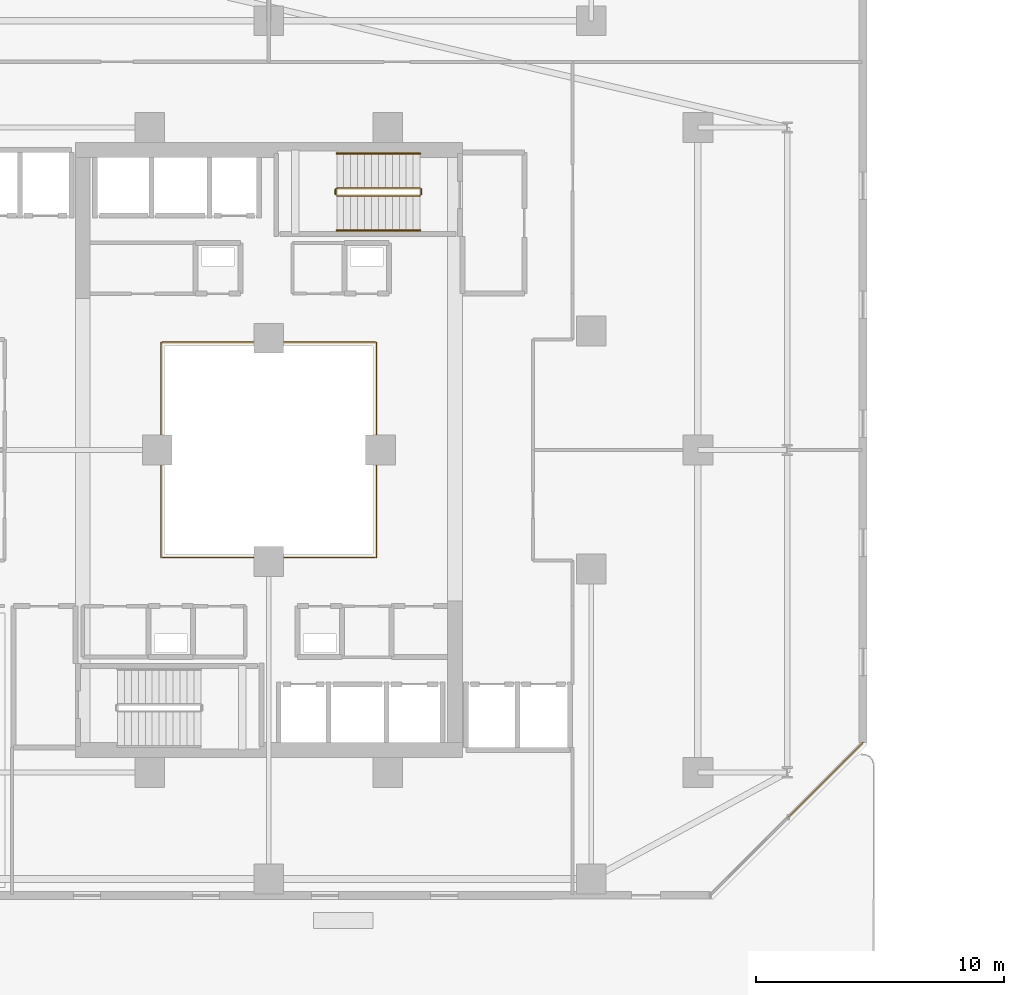
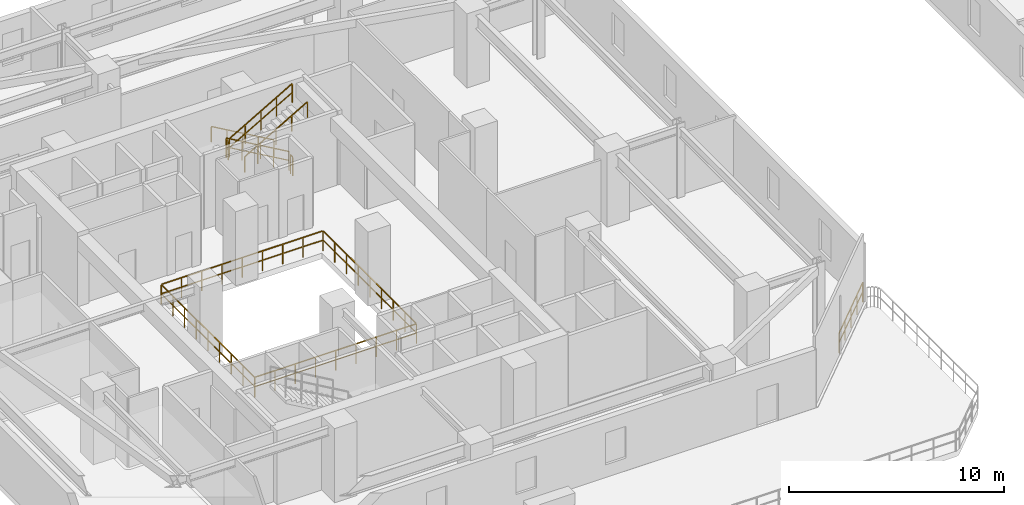
# One storey, part 26 of 30: 8 railings.
"""IFC4 building model written with IfcOpenShell, lengths in metres."""

import ifcopenshell
import ifcopenshell.guid

model = None  # the IFC model being written
_history = None  # IfcOwnerHistory: only IFC2X3 demands one
_inside = {}  # id of a spatial element -> (the spatial element, [elements in it])
_under = {}  # id of a project, library or spatial element -> (it, [spatial elements below it])
_declared = {}  # id of a project -> (the project, [libraries it declares])
_typed = {}  # id of a type object -> (the type object, [elements of that type])
_made_of = {}  # id of a material, layer set ... -> (it, [elements and type objects made of it])


def new_model(schema):
    """Start an empty IFC model of exactly this schema.

    Asked for "IFC4X3", IfcOpenShell would pick the latest addendum, in which some entities
    have other attributes; the version numbers below select the first issue.
    IFC2X3 requires an IfcOwnerHistory on every rooted entity: one is made here for all.
    """
    global model, _history
    if schema == "IFC4X3":
        model = ifcopenshell.file(schema_version=(4, 3, 0, 0))
    else:
        model = ifcopenshell.file(schema=schema)
    _inside.clear()
    _under.clear()
    _declared.clear()
    _typed.clear()
    _made_of.clear()
    _history = None
    if model.schema == "IFC2X3":
        org = make("IfcOrganization", Name="unknown")
        user = make(
            "IfcPersonAndOrganization",
            ThePerson=make("IfcPerson", FamilyName="unknown"),
            TheOrganization=org,
        )
        app = make(
            "IfcApplication",
            ApplicationDeveloper=org,
            Version="unknown",
            ApplicationFullName="unknown",
            ApplicationIdentifier="unknown",
        )
        _history = make(
            "IfcOwnerHistory",
            OwningUser=user,
            OwningApplication=app,
            ChangeAction="ADDED",
            CreationDate=0,
        )
    return model


def make(cls, **values):
    """One entity of the class cls with the attributes given. An attribute that is None is left unset."""
    return model.create_entity(
        cls, **{name: value for name, value in values.items() if value is not None}
    )


def rooted(cls, **values):
    """An entity with a GlobalId (a new one), such as an element, a storey or a relation."""
    return make(cls, GlobalId=ifcopenshell.guid.new(), OwnerHistory=_history, **values)


def si_unit(unit_type, name, prefix=None):
    """IfcSIUnit, for example si_unit("LENGTHUNIT", "METRE", prefix="MILLI")."""
    return make("IfcSIUnit", UnitType=unit_type, Prefix=prefix, Name=name)


def assignment(units):
    """IfcUnitAssignment: the units of a project."""
    return None if units is None else make("IfcUnitAssignment", Units=units)


def point(xyz):
    """IfcCartesianPoint."""
    return None if xyz is None else make("IfcCartesianPoint", Coordinates=xyz)


def direction(xyz):
    """IfcDirection."""
    return None if xyz is None else make("IfcDirection", DirectionRatios=xyz)


def frame(location, z_axis=None, x_axis=None):
    """IfcAxis2Placement3D, a coordinate frame: its origin and axes. An axis left out is left unset."""
    return make(
        "IfcAxis2Placement3D",
        Location=point(location),
        Axis=direction(z_axis),
        RefDirection=direction(x_axis),
    )


def frame_2d(location, x_axis=None):
    """IfcAxis2Placement2D, a coordinate frame in the plane: its origin and x axis."""
    return make(
        "IfcAxis2Placement2D", Location=point(location), RefDirection=direction(x_axis)
    )


def origin():
    """The frame at (0, 0, 0) with its axes left unset."""
    return frame((0.0, 0.0, 0.0))


def origin_2d():
    """The frame at (0, 0) in the plane with its x axis left unset."""
    return frame_2d((0.0, 0.0))


def place(relative_to, where):
    """IfcLocalPlacement: puts the frame where relative to a parent placement (None: the world)."""
    return make(
        "IfcLocalPlacement", PlacementRelTo=relative_to, RelativePlacement=where
    )


def context(
    kind, dimensions, precision=None, world=None, true_north=None, identifier=None
):
    """IfcGeometricRepresentationContext, for example the 3D "Model" context."""
    return make(
        "IfcGeometricRepresentationContext",
        ContextIdentifier=identifier,
        ContextType=kind,
        CoordinateSpaceDimension=dimensions,
        Precision=precision,
        WorldCoordinateSystem=world,
        TrueNorth=true_north,
    )


def subcontext(parent, identifier, kind, view, scale=None):
    """IfcGeometricRepresentationSubContext, for example "Body" below "Model"."""
    return make(
        "IfcGeometricRepresentationSubContext",
        ContextIdentifier=identifier,
        ContextType=kind,
        ParentContext=parent,
        TargetScale=scale,
        TargetView=view,
    )


def project(units=None, contexts=None):
    """IfcProject with its units and contexts."""
    return rooted(
        "IfcProject",
        Name="project",
        RepresentationContexts=contexts,
        UnitsInContext=assignment(units),
    )


def spatial(cls, under=None, at=None, **own):
    """A site, building, storey or space (cls), placed at a placement, below another one or the project."""
    s = rooted(cls, ObjectPlacement=at, **own)
    if under is not None:
        _under.setdefault(under.id(), (under, []))[1].append(s)
    return s


def profile(cls, at=None, kind="AREA", **sizes):
    """A parametric profile (cls). Its sizes go by their IFC names, for example OverallWidth=200.0."""
    return make(cls, ProfileType=kind, Position=at, **sizes)


def rectangle(**sizes):
    """IfcRectangleProfileDef."""
    return profile("IfcRectangleProfileDef", **sizes)


def extrude(swept, where, along, depth):
    """IfcExtrudedAreaSolid: the profile swept, set in the frame where, extruded along a direction by depth."""
    return make(
        "IfcExtrudedAreaSolid",
        SweptArea=swept,
        Position=where,
        ExtrudedDirection=direction(along),
        Depth=depth,
    )


def shape(context_of_items, identifier, shape_type, items):
    """IfcShapeRepresentation: the items that make up one representation, for example the "Body"."""
    return make(
        "IfcShapeRepresentation",
        ContextOfItems=context_of_items,
        RepresentationIdentifier=identifier,
        RepresentationType=shape_type,
        Items=items,
    )


def material(Name=None, Category=None):
    """IfcMaterial."""
    return make("IfcMaterial", Name=Name, Category=Category)


def made_of(thing, what):
    """Note that an element or type object is made of a material, layer set ...; save() writes the relation."""
    if what is not None:
        _made_of.setdefault(what.id(), (what, []))[1].append(thing)
    return thing


def type_object(cls, material=None, **own):
    """A type object (cls), such as IfcWallType, which elements share."""
    return made_of(rooted(cls, **own), material)


def element(
    cls,
    number,
    at=None,
    inside=None,
    cuts=None,
    type_object=None,
    material=None,
    context=None,
    identifier="Body",
    shape_type=None,
    held_by="IfcProductDefinitionShape",
    body=None,
    shapes=None,
    **own,
):
    """One element of the class cls, such as IfcWall. Its Tag is "e" and its number.

    at: its placement. inside: the storey or other place that contains it. cuts: it is an
    opening in that element (IfcRelVoidsElement). A single representation is given by context,
    identifier, shape_type and body (its items); several are given by shapes. held_by: the class
    of the entity that holds the representations. save() writes the other relations.
    """
    e = rooted(cls, Tag="e%d" % number, ObjectPlacement=at, **own)
    if body is not None:
        shapes = [shape(context, identifier, shape_type, body)]
    if shapes is not None:
        e.Representation = make(held_by, Representations=shapes)
    if inside is not None:
        _inside.setdefault(inside.id(), (inside, []))[1].append(e)
    if cuts is not None:
        rooted(
            "IfcRelVoidsElement", RelatingBuildingElement=cuts, RelatedOpeningElement=e
        )
    if type_object is not None:
        _typed.setdefault(type_object.id(), (type_object, []))[1].append(e)
    return made_of(e, material)


def aggregate(whole, parts):
    """IfcRelAggregates: a whole, such as a stair, and the parts it consists of."""
    return rooted("IfcRelAggregates", RelatingObject=whole, RelatedObjects=parts)


def save(model, path):
    """Write the relations noted so far, then the file.

    IfcRelAggregates (storeys below a building ...), IfcRelContainedInSpatialStructure (elements
    in a storey), IfcRelDefinesByType, IfcRelAssociatesMaterial and IfcRelDeclares: one each for
    every whole, place, type object, material and project.
    """
    for whole, parts in _under.values():
        aggregate(whole, parts)
    for where, things in _inside.values():
        rooted(
            "IfcRelContainedInSpatialStructure",
            RelatedElements=things,
            RelatingStructure=where,
        )
    for kind, things in _typed.values():
        rooted("IfcRelDefinesByType", RelatedObjects=things, RelatingType=kind)
    for what, things in _made_of.values():
        rooted("IfcRelAssociatesMaterial", RelatedObjects=things, RelatingMaterial=what)
    for by, libraries in _declared.values():
        rooted("IfcRelDeclares", RelatingContext=by, RelatedDefinitions=libraries)
    model.write(path)


model = new_model("IFC4")

# Units and contexts
model_context = context("Model", 3, precision=1e-05, world=origin(), true_north=direction((0.0, 1.0)))
body_context = subcontext(model_context, "Body", "Model", "MODEL_VIEW")
ifc_project = project(units=[si_unit("LENGTHUNIT", "METRE"), si_unit("AREAUNIT", "SQUARE_METRE"), si_unit("VOLUMEUNIT", "CUBIC_METRE"), si_unit("PLANEANGLEUNIT", "RADIAN"), si_unit("MASSUNIT", "GRAM", prefix="KILO")], contexts=[model_context])

# Site, building, storey
site_placement = place(None, origin())
site = spatial("IfcSite", under=ifc_project, at=site_placement, CompositionType="ELEMENT")
building_placement = place(site_placement, origin())
building = spatial("IfcBuilding", under=site, at=building_placement, Name="Thornwick Lancets Civic Towers", CompositionType="ELEMENT")
storey_placement = place(building_placement, frame((0.0, 0.0, 75.89990234375)))
storey = spatial("IfcBuildingStorey", under=building, at=storey_placement, Name="L19", CompositionType="ELEMENT", Elevation=75.89990234375)

# Railings
ifc_material_1 = material(Name="Laminated glass and bronze steel S355", Category="steel")
railing_type_1 = type_object("IfcRailingType", Name="RAIL_ATRIUM_GUARD", PredefinedType="BALUSTRADE", material=ifc_material_1)
railing_1_placement = place(storey_placement, frame((21.159912109375, 22.659912109375, 0.0)))
element("IfcRailing", 1, at=railing_1_placement, inside=storey, type_object=railing_type_1, Name="L19 Tower A Central Atrium Guard Balustrade", PredefinedType="BALUSTRADE", context=body_context, shape_type="SweptSolid", body=[
    extrude(rectangle(XDim=0.048095703125, YDim=0.048095703125, at=origin_2d()), frame((0.0, 0.0, 1.1259765625), z_axis=(1.0, 0.0, 0.0), x_axis=(0.0, 1.0, 0.0)), (0.0, 0.0, 1.0), 8.64892578125),
    extrude(rectangle(XDim=0.0419921875, YDim=0.0419921875, at=origin_2d()), frame((0.03759765625, 0.0, 0.597900390625), z_axis=(1.0, 0.0, 0.0), x_axis=(0.0, 1.0, 0.0)), (0.0, 0.0, 1.0), 1.010009765625),
    extrude(rectangle(XDim=0.0419921875, YDim=0.0419921875, at=origin_2d()), frame((1.12255859375, 0.0, 0.597900390625), z_axis=(1.0, 0.0, 0.0), x_axis=(0.0, 1.0, 0.0)), (0.0, 0.0, 1.0), 1.010009765625),
    extrude(rectangle(XDim=0.0419921875, YDim=0.0419921875, at=origin_2d()), frame((2.20751953125, 0.0, 0.597900390625), z_axis=(1.0, 0.0, 0.0), x_axis=(0.0, 1.0, 0.0)), (0.0, 0.0, 1.0), 1.010009765625),
    extrude(rectangle(XDim=0.0419921875, YDim=0.0419921875, at=origin_2d()), frame((3.29248046875, 0.0, 0.597900390625), z_axis=(1.0, 0.0, 0.0), x_axis=(0.0, 1.0, 0.0)), (0.0, 0.0, 1.0), 1.010009765625),
    extrude(rectangle(XDim=0.0419921875, YDim=0.0419921875, at=origin_2d()), frame((4.377685546875, 0.0, 0.597900390625), z_axis=(1.0, 0.0, 0.0), x_axis=(0.0, 1.0, 0.0)), (0.0, 0.0, 1.0), 1.010009765625),
    extrude(rectangle(XDim=0.0419921875, YDim=0.0419921875, at=origin_2d()), frame((5.462646484375, 0.0, 0.597900390625), z_axis=(1.0, 0.0, 0.0), x_axis=(0.0, 1.0, 0.0)), (0.0, 0.0, 1.0), 1.010009765625),
    extrude(rectangle(XDim=0.0419921875, YDim=0.0419921875, at=origin_2d()), frame((6.547607421875, 0.0, 0.597900390625), z_axis=(1.0, 0.0, 0.0), x_axis=(0.0, 1.0, 0.0)), (0.0, 0.0, 1.0), 1.010009765625),
    extrude(rectangle(XDim=0.0419921875, YDim=0.0419921875, at=origin_2d()), frame((7.632568359375, 0.0, 0.597900390625), z_axis=(1.0, 0.0, 0.0), x_axis=(0.0, 1.0, 0.0)), (0.0, 0.0, 1.0), 1.010009765625),
    extrude(rectangle(XDim=0.048095703125, YDim=0.048095703125, at=origin_2d()), frame((8.68017578125, 0.03125, 1.1259765625), z_axis=(0.0, 1.0, 0.0), x_axis=(-1.0, 0.0, 0.0)), (0.0, 0.0, 1.0), 8.61767578125),
    extrude(rectangle(XDim=0.0419921875, YDim=0.0419921875, at=origin_2d()), frame((8.68017578125, 0.03759765625, 0.597900390625), z_axis=(0.0, 1.0, 0.0), x_axis=(-1.0, 0.0, 0.0)), (0.0, 0.0, 1.0), 1.010009765625),
    extrude(rectangle(XDim=0.0419921875, YDim=0.0419921875, at=origin_2d()), frame((8.68017578125, 1.12255859375, 0.597900390625), z_axis=(0.0, 1.0, 0.0), x_axis=(-1.0, 0.0, 0.0)), (0.0, 0.0, 1.0), 1.010009765625),
    extrude(rectangle(XDim=0.0419921875, YDim=0.0419921875, at=origin_2d()), frame((8.68017578125, 2.20751953125, 0.597900390625), z_axis=(0.0, 1.0, 0.0), x_axis=(-1.0, 0.0, 0.0)), (0.0, 0.0, 1.0), 1.010009765625),
    extrude(rectangle(XDim=0.0419921875, YDim=0.0419921875, at=origin_2d()), frame((8.68017578125, 3.29248046875, 0.597900390625), z_axis=(0.0, 1.0, 0.0), x_axis=(-1.0, 0.0, 0.0)), (0.0, 0.0, 1.0), 1.010009765625),
    extrude(rectangle(XDim=0.0419921875, YDim=0.0419921875, at=origin_2d()), frame((8.68017578125, 4.377685546875, 0.597900390625), z_axis=(0.0, 1.0, 0.0), x_axis=(-1.0, 0.0, 0.0)), (0.0, 0.0, 1.0), 1.010009765625),
    extrude(rectangle(XDim=0.0419921875, YDim=0.0419921875, at=origin_2d()), frame((8.68017578125, 5.462646484375, 0.597900390625), z_axis=(0.0, 1.0, 0.0), x_axis=(-1.0, 0.0, 0.0)), (0.0, 0.0, 1.0), 1.010009765625),
    extrude(rectangle(XDim=0.0419921875, YDim=0.0419921875, at=origin_2d()), frame((8.68017578125, 6.547607421875, 0.597900390625), z_axis=(0.0, 1.0, 0.0), x_axis=(-1.0, 0.0, 0.0)), (0.0, 0.0, 1.0), 1.010009765625),
    extrude(rectangle(XDim=0.0419921875, YDim=0.0419921875, at=origin_2d()), frame((8.68017578125, 7.632568359375, 0.597900390625), z_axis=(0.0, 1.0, 0.0), x_axis=(-1.0, 0.0, 0.0)), (0.0, 0.0, 1.0), 1.010009765625),
    extrude(rectangle(XDim=0.048095703125, YDim=0.048095703125, at=origin_2d()), frame((8.64892578125, 8.68017578125, 1.1259765625), z_axis=(-1.0, 0.0, 0.0), x_axis=(0.0, -1.0, 0.0)), (0.0, 0.0, 1.0), 8.61767578125),
    extrude(rectangle(XDim=0.0419921875, YDim=0.0419921875, at=origin_2d()), frame((8.642578125, 8.68017578125, 0.597900390625), z_axis=(-1.0, 0.0, 0.0), x_axis=(0.0, -1.0, 0.0)), (0.0, 0.0, 1.0), 1.010009765625),
    extrude(rectangle(XDim=0.0419921875, YDim=0.0419921875, at=origin_2d()), frame((7.5576171875, 8.68017578125, 0.597900390625), z_axis=(-1.0, 0.0, 0.0), x_axis=(0.0, -1.0, 0.0)), (0.0, 0.0, 1.0), 1.010009765625),
    extrude(rectangle(XDim=0.0419921875, YDim=0.0419921875, at=origin_2d()), frame((6.47265625, 8.68017578125, 0.597900390625), z_axis=(-1.0, 0.0, 0.0), x_axis=(0.0, -1.0, 0.0)), (0.0, 0.0, 1.0), 1.010009765625),
    extrude(rectangle(XDim=0.0419921875, YDim=0.0419921875, at=origin_2d()), frame((5.3876953125, 8.68017578125, 0.597900390625), z_axis=(-1.0, 0.0, 0.0), x_axis=(0.0, -1.0, 0.0)), (0.0, 0.0, 1.0), 1.010009765625),
    extrude(rectangle(XDim=0.0419921875, YDim=0.0419921875, at=origin_2d()), frame((4.302490234375, 8.68017578125, 0.597900390625), z_axis=(-1.0, 0.0, 0.0), x_axis=(0.0, -1.0, 0.0)), (0.0, 0.0, 1.0), 1.010009765625),
    extrude(rectangle(XDim=0.0419921875, YDim=0.0419921875, at=origin_2d()), frame((3.217529296875, 8.68017578125, 0.597900390625), z_axis=(-1.0, 0.0, 0.0), x_axis=(0.0, -1.0, 0.0)), (0.0, 0.0, 1.0), 1.010009765625),
    extrude(rectangle(XDim=0.0419921875, YDim=0.0419921875, at=origin_2d()), frame((2.132568359375, 8.68017578125, 0.597900390625), z_axis=(-1.0, 0.0, 0.0), x_axis=(0.0, -1.0, 0.0)), (0.0, 0.0, 1.0), 1.010009765625),
    extrude(rectangle(XDim=0.0419921875, YDim=0.0419921875, at=origin_2d()), frame((1.047607421875, 8.68017578125, 0.597900390625), z_axis=(-1.0, 0.0, 0.0), x_axis=(0.0, -1.0, 0.0)), (0.0, 0.0, 1.0), 1.010009765625),
    extrude(rectangle(XDim=0.048095703125, YDim=0.048095703125, at=origin_2d()), frame((0.0, 8.64892578125, 1.1259765625), z_axis=(0.0, -1.0, 0.0), x_axis=(1.0, 0.0, 0.0)), (0.0, 0.0, 1.0), 8.64892578125),
    extrude(rectangle(XDim=0.0419921875, YDim=0.0419921875, at=origin_2d()), frame((0.0, 8.642578125, 0.597900390625), z_axis=(0.0, -1.0, 0.0), x_axis=(1.0, 0.0, 0.0)), (0.0, 0.0, 1.0), 1.010009765625),
    extrude(rectangle(XDim=0.0419921875, YDim=0.0419921875, at=origin_2d()), frame((0.0, 7.5576171875, 0.597900390625), z_axis=(0.0, -1.0, 0.0), x_axis=(1.0, 0.0, 0.0)), (0.0, 0.0, 1.0), 1.010009765625),
    extrude(rectangle(XDim=0.0419921875, YDim=0.0419921875, at=origin_2d()), frame((0.0, 6.47265625, 0.597900390625), z_axis=(0.0, -1.0, 0.0), x_axis=(1.0, 0.0, 0.0)), (0.0, 0.0, 1.0), 1.010009765625),
    extrude(rectangle(XDim=0.0419921875, YDim=0.0419921875, at=origin_2d()), frame((0.0, 5.3876953125, 0.597900390625), z_axis=(0.0, -1.0, 0.0), x_axis=(1.0, 0.0, 0.0)), (0.0, 0.0, 1.0), 1.010009765625),
    extrude(rectangle(XDim=0.0419921875, YDim=0.0419921875, at=origin_2d()), frame((0.0, 4.302490234375, 0.597900390625), z_axis=(0.0, -1.0, 0.0), x_axis=(1.0, 0.0, 0.0)), (0.0, 0.0, 1.0), 1.010009765625),
    extrude(rectangle(XDim=0.0419921875, YDim=0.0419921875, at=origin_2d()), frame((0.0, 3.217529296875, 0.597900390625), z_axis=(0.0, -1.0, 0.0), x_axis=(1.0, 0.0, 0.0)), (0.0, 0.0, 1.0), 1.010009765625),
    extrude(rectangle(XDim=0.0419921875, YDim=0.0419921875, at=origin_2d()), frame((0.0, 2.132568359375, 0.597900390625), z_axis=(0.0, -1.0, 0.0), x_axis=(1.0, 0.0, 0.0)), (0.0, 0.0, 1.0), 1.010009765625),
    extrude(rectangle(XDim=0.0419921875, YDim=0.0419921875, at=origin_2d()), frame((0.0, 1.047607421875, 0.597900390625), z_axis=(0.0, -1.0, 0.0), x_axis=(1.0, 0.0, 0.0)), (0.0, 0.0, 1.0), 1.010009765625),
    extrude(rectangle(XDim=0.0419921875, YDim=0.0419921875, at=origin_2d()), origin(), (0.0, 0.0, 1.0), 1.095703125),
    extrude(rectangle(XDim=0.0419921875, YDim=0.0419921875, at=origin_2d()), frame((1.0849609375, 0.0, 0.0)), (0.0, 0.0, 1.0), 1.095703125),
    extrude(rectangle(XDim=0.0419921875, YDim=0.0419921875, at=origin_2d()), frame((2.169921875, 0.0, 0.0)), (0.0, 0.0, 1.0), 1.095703125),
    extrude(rectangle(XDim=0.0419921875, YDim=0.0419921875, at=origin_2d()), frame((3.255126953125, 0.0, 0.0)), (0.0, 0.0, 1.0), 1.095703125),
    extrude(rectangle(XDim=0.0419921875, YDim=0.0419921875, at=origin_2d()), frame((4.340087890625, 0.0, 0.0)), (0.0, 0.0, 1.0), 1.095703125),
    extrude(rectangle(XDim=0.0419921875, YDim=0.0419921875, at=origin_2d()), frame((5.425048828125, 0.0, 0.0)), (0.0, 0.0, 1.0), 1.095703125),
    extrude(rectangle(XDim=0.0419921875, YDim=0.0419921875, at=origin_2d()), frame((6.51025390625, 0.0, 0.0)), (0.0, 0.0, 1.0), 1.095703125),
    extrude(rectangle(XDim=0.0419921875, YDim=0.0419921875, at=origin_2d()), frame((7.59521484375, 0.0, 0.0)), (0.0, 0.0, 1.0), 1.095703125),
    extrude(rectangle(XDim=0.0419921875, YDim=0.0419921875, at=origin_2d()), frame((8.68017578125, 0.0, 0.0)), (0.0, 0.0, 1.0), 1.095703125),
    extrude(rectangle(XDim=0.0419921875, YDim=0.0419921875, at=origin_2d()), frame((8.68017578125, 1.0849609375, 0.0)), (0.0, 0.0, 1.0), 1.095703125),
    extrude(rectangle(XDim=0.0419921875, YDim=0.0419921875, at=origin_2d()), frame((8.68017578125, 2.169921875, 0.0)), (0.0, 0.0, 1.0), 1.095703125),
    extrude(rectangle(XDim=0.0419921875, YDim=0.0419921875, at=origin_2d()), frame((8.68017578125, 3.255126953125, 0.0)), (0.0, 0.0, 1.0), 1.095703125),
    extrude(rectangle(XDim=0.0419921875, YDim=0.0419921875, at=origin_2d()), frame((8.68017578125, 4.340087890625, 0.0)), (0.0, 0.0, 1.0), 1.095703125),
    extrude(rectangle(XDim=0.0419921875, YDim=0.0419921875, at=origin_2d()), frame((8.68017578125, 5.425048828125, 0.0)), (0.0, 0.0, 1.0), 1.095703125),
    extrude(rectangle(XDim=0.0419921875, YDim=0.0419921875, at=origin_2d()), frame((8.68017578125, 6.51025390625, 0.0)), (0.0, 0.0, 1.0), 1.095703125),
    extrude(rectangle(XDim=0.0419921875, YDim=0.0419921875, at=origin_2d()), frame((8.68017578125, 7.59521484375, 0.0)), (0.0, 0.0, 1.0), 1.095703125),
    extrude(rectangle(XDim=0.0419921875, YDim=0.0419921875, at=origin_2d()), frame((8.68017578125, 8.68017578125, 0.0)), (0.0, 0.0, 1.0), 1.095703125),
    extrude(rectangle(XDim=0.0419921875, YDim=0.0419921875, at=origin_2d()), frame((7.59521484375, 8.68017578125, 0.0)), (0.0, 0.0, 1.0), 1.095703125),
    extrude(rectangle(XDim=0.0419921875, YDim=0.0419921875, at=origin_2d()), frame((6.51025390625, 8.68017578125, 0.0)), (0.0, 0.0, 1.0), 1.095703125),
    extrude(rectangle(XDim=0.0419921875, YDim=0.0419921875, at=origin_2d()), frame((5.425048828125, 8.68017578125, 0.0)), (0.0, 0.0, 1.0), 1.095703125),
    extrude(rectangle(XDim=0.0419921875, YDim=0.0419921875, at=origin_2d()), frame((4.340087890625, 8.68017578125, 0.0)), (0.0, 0.0, 1.0), 1.095703125),
    extrude(rectangle(XDim=0.0419921875, YDim=0.0419921875, at=origin_2d()), frame((3.255126953125, 8.68017578125, 0.0)), (0.0, 0.0, 1.0), 1.095703125),
    extrude(rectangle(XDim=0.0419921875, YDim=0.0419921875, at=origin_2d()), frame((2.169921875, 8.68017578125, 0.0)), (0.0, 0.0, 1.0), 1.095703125),
    extrude(rectangle(XDim=0.0419921875, YDim=0.0419921875, at=origin_2d()), frame((1.0849609375, 8.68017578125, 0.0)), (0.0, 0.0, 1.0), 1.095703125),
    extrude(rectangle(XDim=0.0419921875, YDim=0.0419921875, at=origin_2d()), frame((0.0, 8.68017578125, 0.0)), (0.0, 0.0, 1.0), 1.095703125),
    extrude(rectangle(XDim=0.0419921875, YDim=0.0419921875, at=origin_2d()), frame((0.0, 7.59521484375, 0.0)), (0.0, 0.0, 1.0), 1.095703125),
    extrude(rectangle(XDim=0.0419921875, YDim=0.0419921875, at=origin_2d()), frame((0.0, 6.51025390625, 0.0)), (0.0, 0.0, 1.0), 1.095703125),
    extrude(rectangle(XDim=0.0419921875, YDim=0.0419921875, at=origin_2d()), frame((0.0, 5.425048828125, 0.0)), (0.0, 0.0, 1.0), 1.095703125),
    extrude(rectangle(XDim=0.0419921875, YDim=0.0419921875, at=origin_2d()), frame((0.0, 4.340087890625, 0.0)), (0.0, 0.0, 1.0), 1.095703125),
    extrude(rectangle(XDim=0.0419921875, YDim=0.0419921875, at=origin_2d()), frame((0.0, 3.255126953125, 0.0)), (0.0, 0.0, 1.0), 1.095703125),
    extrude(rectangle(XDim=0.0419921875, YDim=0.0419921875, at=origin_2d()), frame((0.0, 2.169921875, 0.0)), (0.0, 0.0, 1.0), 1.095703125),
    extrude(rectangle(XDim=0.0419921875, YDim=0.0419921875, at=origin_2d()), frame((0.0, 1.0849609375, 0.0)), (0.0, 0.0, 1.0), 1.095703125),
])
ifc_material_2 = material(Name="Brushed stainless steel S355", Category="steel")
railing_type_2 = type_object("IfcRailingType", Name="RAIL_HANDRAIL", PredefinedType="HANDRAIL", material=ifc_material_2)
railing_2_placement = place(storey_placement, frame((31.60009765625, 38.949951171875, 0.16162109375)))
element("IfcRailing", 2, at=railing_2_placement, inside=storey, type_object=railing_type_2, Name="L19 ST-A2 stair handrail 1", PredefinedType="HANDRAIL", context=body_context, shape_type="SweptSolid", body=[
    extrude(rectangle(XDim=0.048095703125, YDim=0.048095703125, at=origin_2d()), frame((0.0, 0.0, 0.8857421875), z_axis=(-0.866190824863, 0.0, 0.499713372768), x_axis=(0.0, -1.0, 0.0)), (0.0, 0.0, 1.0), 3.879150390625),
    extrude(rectangle(XDim=0.0419921875, YDim=0.0419921875, at=origin_2d()), origin(), (0.0, 0.0, 1.0), 0.855712890625),
    extrude(rectangle(XDim=0.0419921875, YDim=0.0419921875, at=origin_2d()), frame((-0.840087890625, 0.0, 0.484619140625)), (0.0, 0.0, 1.0), 0.855712890625),
    extrude(rectangle(XDim=0.0419921875, YDim=0.0419921875, at=origin_2d()), frame((-1.68017578125, 0.0, 0.96923828125)), (0.0, 0.0, 1.0), 0.855712890625),
    extrude(rectangle(XDim=0.0419921875, YDim=0.0419921875, at=origin_2d()), frame((-2.52001953125, 0.0, 1.453857421875)), (0.0, 0.0, 1.0), 0.855712890625),
    extrude(rectangle(XDim=0.0419921875, YDim=0.0419921875, at=origin_2d()), frame((-3.360107421875, 0.0, 1.9384765625)), (0.0, 0.0, 1.0), 0.855712890625),
])
railing_3_placement = place(storey_placement, frame((28.239990234375, 35.85009765625, 2.26171875)))
element("IfcRailing", 3, at=railing_3_placement, inside=storey, type_object=railing_type_2, Name="L19 ST-A2 stair handrail 2", PredefinedType="HANDRAIL", context=body_context, shape_type="SweptSolid", body=[
    extrude(rectangle(XDim=0.048095703125, YDim=0.048095703125, at=origin_2d()), frame((0.0, 0.0, 0.8857421875), z_axis=(0.866190824863, 0.0, 0.499713372768), x_axis=(0.0, 1.0, 0.0)), (0.0, 0.0, 1.0), 3.879150390625),
    extrude(rectangle(XDim=0.0419921875, YDim=0.0419921875, at=origin_2d()), origin(), (0.0, 0.0, 1.0), 0.855712890625),
    extrude(rectangle(XDim=0.0419921875, YDim=0.0419921875, at=origin_2d()), frame((0.840087890625, 0.0, 0.484619140625)), (0.0, 0.0, 1.0), 0.855712890625),
    extrude(rectangle(XDim=0.0419921875, YDim=0.0419921875, at=origin_2d()), frame((1.68017578125, 0.0, 0.96923828125)), (0.0, 0.0, 1.0), 0.855712890625),
    extrude(rectangle(XDim=0.0419921875, YDim=0.0419921875, at=origin_2d()), frame((2.52001953125, 0.0, 1.453857421875)), (0.0, 0.0, 1.0), 0.855712890625),
    extrude(rectangle(XDim=0.0419921875, YDim=0.0419921875, at=origin_2d()), frame((3.360107421875, 0.0, 1.9384765625)), (0.0, 0.0, 1.0), 0.855712890625),
])
ifc_material_3 = material(Name="Steel S355JR", Category="steel")
railing_type_3 = type_object("IfcRailingType", Name="RAIL_STAIR_GUARD", PredefinedType="GUARDRAIL", material=ifc_material_3)
railing_4_placement = place(storey_placement, frame((31.60009765625, 37.550048828125, 0.16162109375)))
element("IfcRailing", 4, at=railing_4_placement, inside=storey, type_object=railing_type_3, Name="L19 ST-A2 stair guard 1", PredefinedType="GUARDRAIL", context=body_context, shape_type="SweptSolid", body=[
    extrude(rectangle(XDim=0.048095703125, YDim=0.048095703125, at=origin_2d()), frame((0.0, 0.0, 1.076171875), z_axis=(-0.866190824863, 0.0, 0.499713372768), x_axis=(0.0, -1.0, 0.0)), (0.0, 0.0, 1.0), 3.879150390625),
    extrude(rectangle(XDim=0.0419921875, YDim=0.0419921875, at=origin_2d()), frame((-0.032470703125, 0.0, 0.5908203125), z_axis=(-0.866190824863, 0.0, 0.499713372768), x_axis=(0.0, -1.0, 0.0)), (0.0, 0.0, 1.0), 0.894775390625),
    extrude(rectangle(XDim=0.0419921875, YDim=0.0419921875, at=origin_2d()), frame((-0.87255859375, 0.0, 1.075439453125), z_axis=(-0.866190824863, 0.0, 0.499713372768), x_axis=(0.0, -1.0, 0.0)), (0.0, 0.0, 1.0), 0.894775390625),
    extrude(rectangle(XDim=0.0419921875, YDim=0.0419921875, at=origin_2d()), frame((-1.712646484375, 0.0, 1.56005859375), z_axis=(-0.866190824863, 0.0, 0.499713372768), x_axis=(0.0, -1.0, 0.0)), (0.0, 0.0, 1.0), 0.894775390625),
    extrude(rectangle(XDim=0.0419921875, YDim=0.0419921875, at=origin_2d()), frame((-2.552490234375, 0.0, 2.044677734375), z_axis=(-0.866190824863, 0.0, 0.499713372768), x_axis=(0.0, -1.0, 0.0)), (0.0, 0.0, 1.0), 0.894775390625),
    extrude(rectangle(XDim=0.0419921875, YDim=0.0419921875, at=origin_2d()), origin(), (0.0, 0.0, 1.0), 1.0458984375),
    extrude(rectangle(XDim=0.0419921875, YDim=0.0419921875, at=origin_2d()), frame((-0.840087890625, 0.0, 0.484619140625)), (0.0, 0.0, 1.0), 1.0458984375),
    extrude(rectangle(XDim=0.0419921875, YDim=0.0419921875, at=origin_2d()), frame((-1.68017578125, 0.0, 0.96923828125)), (0.0, 0.0, 1.0), 1.0458984375),
    extrude(rectangle(XDim=0.0419921875, YDim=0.0419921875, at=origin_2d()), frame((-2.52001953125, 0.0, 1.453857421875)), (0.0, 0.0, 1.0), 1.0458984375),
    extrude(rectangle(XDim=0.0419921875, YDim=0.0419921875, at=origin_2d()), frame((-3.360107421875, 0.0, 1.9384765625)), (0.0, 0.0, 1.0), 1.0458984375),
])
railing_5_placement = place(storey_placement, frame((28.18994140625, 37.5, 2.10009765625)))
element("IfcRailing", 5, at=railing_5_placement, inside=storey, type_object=railing_type_3, Name="L19 ST-A2 stair guard 2", PredefinedType="GUARDRAIL", context=body_context, shape_type="SweptSolid", body=[
    extrude(rectangle(XDim=0.048095703125, YDim=0.048095703125, at=origin_2d()), frame((0.0, 0.0, 1.076171875), z_axis=(0.0, -1.0, 0.0), x_axis=(1.0, 0.0, 0.0)), (0.0, 0.0, 1.0), 0.199951171875),
    extrude(rectangle(XDim=0.0419921875, YDim=0.0419921875, at=origin_2d()), frame((0.0, -0.03759765625, 0.572021484375), z_axis=(0.0, -1.0, 0.0), x_axis=(1.0, 0.0, 0.0)), (0.0, 0.0, 1.0), 0.125),
    extrude(rectangle(XDim=0.0419921875, YDim=0.0419921875, at=origin_2d()), origin(), (0.0, 0.0, 1.0), 1.0458984375),
    extrude(rectangle(XDim=0.0419921875, YDim=0.0419921875, at=origin_2d()), frame((0.0, -0.199951171875, 0.0)), (0.0, 0.0, 1.0), 1.0458984375),
])
railing_6_placement = place(storey_placement, frame((28.239990234375, 37.25, 2.26171875)))
element("IfcRailing", 6, at=railing_6_placement, inside=storey, type_object=railing_type_3, Name="L19 ST-A2 stair guard 3", PredefinedType="GUARDRAIL", context=body_context, shape_type="SweptSolid", body=[
    extrude(rectangle(XDim=0.048095703125, YDim=0.048095703125, at=origin_2d()), frame((0.0, 0.0, 1.076171875), z_axis=(0.866190824863, 0.0, 0.499713372768), x_axis=(0.0, 1.0, 0.0)), (0.0, 0.0, 1.0), 3.879150390625),
    extrude(rectangle(XDim=0.0419921875, YDim=0.0419921875, at=origin_2d()), frame((0.032470703125, 0.0, 0.5908203125), z_axis=(0.866190824863, 0.0, 0.499713372768), x_axis=(0.0, 1.0, 0.0)), (0.0, 0.0, 1.0), 0.894775390625),
    extrude(rectangle(XDim=0.0419921875, YDim=0.0419921875, at=origin_2d()), frame((0.87255859375, 0.0, 1.075439453125), z_axis=(0.866190824863, 0.0, 0.499713372768), x_axis=(0.0, 1.0, 0.0)), (0.0, 0.0, 1.0), 0.894775390625),
    extrude(rectangle(XDim=0.0419921875, YDim=0.0419921875, at=origin_2d()), frame((1.712646484375, 0.0, 1.56005859375), z_axis=(0.866190824863, 0.0, 0.499713372768), x_axis=(0.0, 1.0, 0.0)), (0.0, 0.0, 1.0), 0.894775390625),
    extrude(rectangle(XDim=0.0419921875, YDim=0.0419921875, at=origin_2d()), frame((2.552490234375, 0.0, 2.044677734375), z_axis=(0.866190824863, 0.0, 0.499713372768), x_axis=(0.0, 1.0, 0.0)), (0.0, 0.0, 1.0), 0.894775390625),
    extrude(rectangle(XDim=0.0419921875, YDim=0.0419921875, at=origin_2d()), origin(), (0.0, 0.0, 1.0), 1.0458984375),
    extrude(rectangle(XDim=0.0419921875, YDim=0.0419921875, at=origin_2d()), frame((0.840087890625, 0.0, 0.484619140625)), (0.0, 0.0, 1.0), 1.0458984375),
    extrude(rectangle(XDim=0.0419921875, YDim=0.0419921875, at=origin_2d()), frame((1.68017578125, 0.0, 0.96923828125)), (0.0, 0.0, 1.0), 1.0458984375),
    extrude(rectangle(XDim=0.0419921875, YDim=0.0419921875, at=origin_2d()), frame((2.52001953125, 0.0, 1.453857421875)), (0.0, 0.0, 1.0), 1.0458984375),
    extrude(rectangle(XDim=0.0419921875, YDim=0.0419921875, at=origin_2d()), frame((3.360107421875, 0.0, 1.9384765625)), (0.0, 0.0, 1.0), 1.0458984375),
])
railing_7_placement = place(storey_placement, frame((31.64990234375, 37.5, 0.0)))
element("IfcRailing", 7, at=railing_7_placement, inside=storey, type_object=railing_type_3, Name="L19 ST-A2 stair guard 4", PredefinedType="GUARDRAIL", context=body_context, shape_type="SweptSolid", body=[
    extrude(rectangle(XDim=0.048095703125, YDim=0.048095703125, at=origin_2d()), frame((0.0, 0.0, 1.076171875), z_axis=(0.0, -1.0, 0.0), x_axis=(1.0, 0.0, 0.0)), (0.0, 0.0, 1.0), 0.199951171875),
    extrude(rectangle(XDim=0.0419921875, YDim=0.0419921875, at=origin_2d()), frame((0.0, -0.03759765625, 0.572021484375), z_axis=(0.0, -1.0, 0.0), x_axis=(1.0, 0.0, 0.0)), (0.0, 0.0, 1.0), 0.125),
    extrude(rectangle(XDim=0.0419921875, YDim=0.0419921875, at=origin_2d()), origin(), (0.0, 0.0, 1.0), 1.0458984375),
    extrude(rectangle(XDim=0.0419921875, YDim=0.0419921875, at=origin_2d()), frame((0.0, -0.199951171875, 0.0)), (0.0, 0.0, 1.0), 1.0458984375),
])
ifc_material_4 = material(Name="Terracotta-capped laminated glass balustrade S355", Category="masonry")
railing_type_4 = type_object("IfcRailingType", Name="RAIL_TERR_GUARD", PredefinedType="GUARDRAIL", material=ifc_material_4)
railing_8_placement = place(storey_placement, frame((46.440673828125, 12.19140625, 0.0)))
element("IfcRailing", 8, at=railing_8_placement, inside=storey, type_object=railing_type_4, Name="L19 Tower A Chamfer Spandrel Guard E1-1", PredefinedType="GUARDRAIL", context=body_context, shape_type="SweptSolid", body=[
    extrude(rectangle(XDim=0.048095703125, YDim=0.048095703125, at=origin_2d()), frame((0.0, 0.0, 1.1259765625), z_axis=(0.707078126119, 0.707135435093, 0.0), x_axis=(-0.707135435093, 0.707078126119, 0.0)), (0.0, 0.0, 1.0), 4.260009765625),
    extrude(rectangle(XDim=0.0419921875, YDim=0.0419921875, at=origin_2d()), frame((0.026611328125, 0.026611328125, 0.597900390625), z_axis=(0.707078126119, 0.707135435093, 0.0), x_axis=(-0.707135435093, 0.707078126119, 0.0)), (0.0, 0.0, 1.0), 0.989990234375),
    extrude(rectangle(XDim=0.0419921875, YDim=0.0419921875, at=origin_2d()), frame((0.779541015625, 0.779541015625, 0.597900390625), z_axis=(0.707078126119, 0.707135435093, 0.0), x_axis=(-0.707135435093, 0.707078126119, 0.0)), (0.0, 0.0, 1.0), 0.989990234375),
    extrude(rectangle(XDim=0.0419921875, YDim=0.0419921875, at=origin_2d()), frame((1.53271484375, 1.53271484375, 0.597900390625), z_axis=(0.707078126119, 0.707135435093, 0.0), x_axis=(-0.707135435093, 0.707078126119, 0.0)), (0.0, 0.0, 1.0), 0.989990234375),
    extrude(rectangle(XDim=0.0419921875, YDim=0.0419921875, at=origin_2d()), frame((2.28564453125, 2.285888671875, 0.597900390625), z_axis=(0.707078126119, 0.707135435093, 0.0), x_axis=(-0.707135435093, 0.707078126119, 0.0)), (0.0, 0.0, 1.0), 0.989990234375),
    extrude(rectangle(XDim=0.0419921875, YDim=0.0419921875, at=origin_2d()), origin(), (0.0, 0.0, 1.0), 1.095703125),
    extrude(rectangle(XDim=0.0419921875, YDim=0.0419921875, at=origin_2d()), frame((0.7529296875, 0.753173828125, 0.0)), (0.0, 0.0, 1.0), 1.095703125),
    extrude(rectangle(XDim=0.0419921875, YDim=0.0419921875, at=origin_2d()), frame((1.506103515625, 1.50634765625, 0.0)), (0.0, 0.0, 1.0), 1.095703125),
    extrude(rectangle(XDim=0.0419921875, YDim=0.0419921875, at=origin_2d()), frame((2.25927734375, 2.25927734375, 0.0)), (0.0, 0.0, 1.0), 1.095703125),
    extrude(rectangle(XDim=0.0419921875, YDim=0.0419921875, at=origin_2d()), frame((3.01220703125, 3.012451171875, 0.0)), (0.0, 0.0, 1.0), 1.095703125),
])

save(model, "model.ifc")
